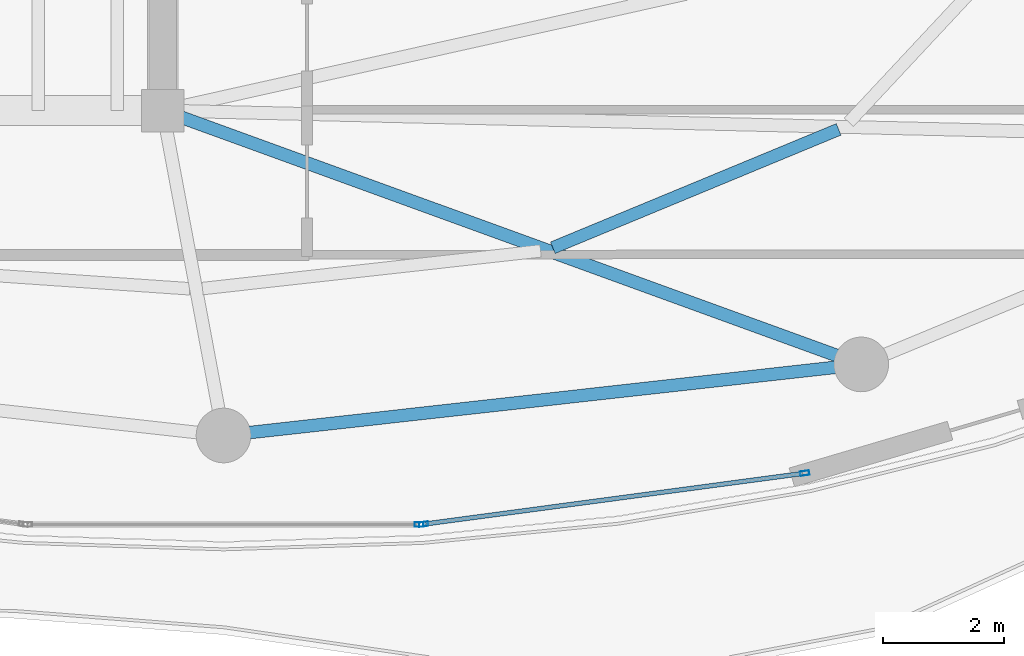
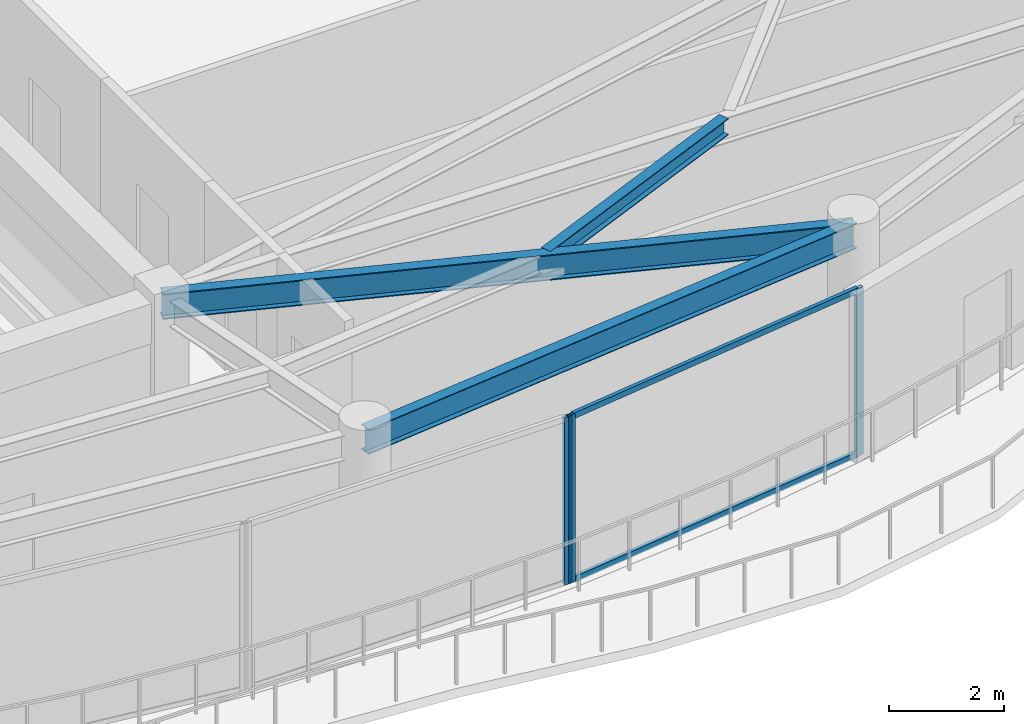
# One storey, part 11 of 30: 5 members, 3 beams, 2 elements without a shape of their own.
"""IFC4 building model written with IfcOpenShell, lengths in metres."""

from ifc_helpers import new_model, si_unit, direction, frame, origin, origin_2d, place, context, subcontext, project, spatial, hollow_rectangle, i_section, extrude, material, layer, layer_set, material_profile, profile_set, type_object, element, aggregate, save


model = new_model("IFC4")

# Units and contexts
model_context = context("Model", 3, precision=1e-05, world=origin(), true_north=direction((0.0, 1.0)))
body_context = subcontext(model_context, "Body", "Model", "MODEL_VIEW")
ifc_project = project(units=[si_unit("LENGTHUNIT", "METRE"), si_unit("AREAUNIT", "SQUARE_METRE"), si_unit("VOLUMEUNIT", "CUBIC_METRE"), si_unit("PLANEANGLEUNIT", "RADIAN"), si_unit("MASSUNIT", "GRAM", prefix="KILO")], contexts=[model_context])

# Site, building, storey
site_placement = place(None, origin())
site = spatial("IfcSite", under=ifc_project, at=site_placement, CompositionType="ELEMENT")
building_placement = place(site_placement, origin())
building = spatial("IfcBuilding", under=site, at=building_placement, Name="Kazevale Care Tower and Concert Hall", CompositionType="ELEMENT")
storey_placement = place(building_placement, frame((0.0, 0.0, 258.60009765625)))
storey = spatial("IfcBuildingStorey", under=building, at=storey_placement, Name="L68", CompositionType="ELEMENT", Elevation=258.60009765625)

# Curtain wall, members
ifc_material_1 = material(Name="Aluminium 6063-T6 and Low-E Glass", Category="aluminium")
ifc_layer = layer(ifc_material_1, 0.179931640625)
ifc_layer_set = layer_set([ifc_layer], Name="Aluminium 6063-T6 and Low-E Glass")
curtain_wall_type = type_object("IfcCurtainWallType", Name="Sheltered Concave Balcony Curtain Wall CW-5", PredefinedType="NOTDEFINED", material=ifc_layer_set)
curtain_wall_1_placement = place(storey_placement, origin())
curtain_wall_1 = element("IfcCurtainWall", 1, at=curtain_wall_1_placement, inside=storey, type_object=curtain_wall_type, Name="cw:L68:f05", PredefinedType="NOTDEFINED")
ifc_material_2 = material(Name="Aluminium 6063-T6", Category="aluminium")
ifc_material_profile_1 = material_profile(ifc_material_2, hollow_rectangle(XDim=0.074951171875, YDim=0.14990234375, WallThickness=0.00390625, at=origin_2d()), Name="ALU75x150x4")
ifc_profile_set_1 = profile_set([ifc_material_profile_1], Name="Aluminium 6063-T6")
member_type_1 = type_object("IfcMemberType", Name="CW-5 Mullion ALU75x150x4", PredefinedType="MULLION", material=ifc_profile_set_1)
member_1_placement = place(storey_placement, frame((54.56982421875, 17.629150390625, 0.0), z_axis=(0.0, 0.0, 1.0), x_axis=(0.132542069018, -0.991177380664, 0.0)))
member_1 = element("IfcMember", 2, at=member_1_placement, type_object=member_type_1, Name="CW-5 mullion 1", PredefinedType="MULLION", context=body_context, shape_type="SweptSolid", body=[
    extrude(hollow_rectangle(XDim=0.074951171875, YDim=0.14990234375, WallThickness=0.00390625, at=origin_2d()), origin(), (0.0, 0.0, 1.0), 3.559814453125),
])
member_2_placement = place(storey_placement, frame((48.295166015625, 16.7900390625, 0.0), z_axis=(0.0, 0.0, 1.0), x_axis=(0.132542069018, -0.991177380664, 0.0)))
member_2 = element("IfcMember", 3, at=member_2_placement, type_object=member_type_1, Name="CW-5 mullion 2", PredefinedType="MULLION", context=body_context, shape_type="SweptSolid", body=[
    extrude(hollow_rectangle(XDim=0.074951171875, YDim=0.14990234375, WallThickness=0.00390625, at=origin_2d()), origin(), (0.0, 0.0, 1.0), 3.559814453125),
])

# Curtain wall, member
curtain_wall_2_placement = place(storey_placement, origin())
curtain_wall_2 = element("IfcCurtainWall", 4, at=curtain_wall_2_placement, inside=storey, type_object=curtain_wall_type, Name="cw:L68:f06", PredefinedType="NOTDEFINED")
member_3_placement = place(storey_placement, frame((48.220458984375, 16.784912109375, 0.0), z_axis=(0.0, 0.0, 1.0), x_axis=(0.0, -1.0, 0.0)))
member_3 = element("IfcMember", 5, at=member_3_placement, type_object=member_type_1, Name="CW-5 mullion 1", PredefinedType="MULLION", context=body_context, shape_type="SweptSolid", body=[
    extrude(hollow_rectangle(XDim=0.074951171875, YDim=0.14990234375, WallThickness=0.00390625, at=origin_2d()), origin(), (0.0, 0.0, 1.0), 3.559814453125),
])
aggregate(curtain_wall_2, [member_3])

# Member
ifc_material_profile_2 = material_profile(ifc_material_2, hollow_rectangle(XDim=0.074951171875, YDim=0.1201171875, WallThickness=0.00390625, at=origin_2d()), Name="ALU75x120x4")
ifc_profile_set_2 = profile_set([ifc_material_profile_2], Name="Aluminium 6063-T6")
member_type_2 = type_object("IfcMemberType", Name="CW-5 Transom ALU75x120x4", PredefinedType="USERDEFINED", material=ifc_profile_set_2)
member_4_placement = place(storey_placement, frame((54.53271484375, 17.6240234375, 0.037353515625), z_axis=(-0.991178066261, -0.132536941884, 0.0), x_axis=(0.132536941884, -0.991178066261, 0.0)))
member_4 = element("IfcMember", 6, at=member_4_placement, type_object=member_type_2, Name="CW-5 transom 1.1", ObjectType="TRANSOM", PredefinedType="USERDEFINED", context=body_context, shape_type="SweptSolid", body=[
    extrude(hollow_rectangle(XDim=0.074951171875, YDim=0.1201171875, WallThickness=0.00390625, at=origin_2d()), origin(), (0.0, 0.0, 1.0), 6.255615234375),
])

member_5_placement = place(storey_placement, frame((54.53271484375, 17.6240234375, 3.5224609375), z_axis=(-0.991178066261, -0.132536941884, 0.0), x_axis=(0.132536941884, -0.991178066261, 0.0)))
member_5 = element("IfcMember", 7, at=member_5_placement, type_object=member_type_2, Name="CW-5 transom 1.2", ObjectType="TRANSOM", PredefinedType="USERDEFINED", context=body_context, shape_type="SweptSolid", body=[
    extrude(hollow_rectangle(XDim=0.074951171875, YDim=0.1201171875, WallThickness=0.00390625, at=origin_2d()), origin(), (0.0, 0.0, 1.0), 6.255615234375),
])

aggregate(curtain_wall_1, [member_1, member_2, member_4, member_5])

# Beams
ifc_material_3 = material(Name="Steel ASTM A572 Gr 50", Category="steel")
ifc_material_profile_3 = material_profile(ifc_material_3, i_section(OverallWidth=0.2119140625, OverallDepth=0.5439453125, WebThickness=0.01318359375, FlangeThickness=0.021240234375, at=origin_2d()), Name="W530x123")
ifc_profile_set_3 = profile_set([ifc_material_profile_3], Name="Steel ASTM A572 Gr 50")
beam_type_1 = type_object("IfcBeamType", Name="Radial Floor Girder W530x123", PredefinedType="BEAM", material=ifc_profile_set_3)
beam_1_placement = place(storey_placement, frame((44.0, 23.60009765625, 3.287841796875), z_axis=(0.939836524786, -0.341624511239, 0.0), x_axis=(0.341624511239, 0.939836524786, 0.0)))
element("IfcBeam", 8, at=beam_1_placement, inside=storey, type_object=beam_type_1, Name="beam:L68:rad:14", PredefinedType="BEAM", context=body_context, shape_type="SweptSolid", body=[
    extrude(i_section(OverallWidth=0.2119140625, OverallDepth=0.5439453125, WebThickness=0.01318359375, FlangeThickness=0.021240234375, at=origin_2d()), origin(), (0.0, 0.0, 1.0), 12.236083984375),
])
ifc_material_profile_4 = material_profile(ifc_material_3, i_section(OverallWidth=0.205078125, OverallDepth=0.35400390625, WebThickness=0.009521484375, FlangeThickness=0.016845703125, at=origin_2d()), Name="W360x79")
ifc_profile_set_4 = profile_set([ifc_material_profile_4], Name="Steel ASTM A572 Gr 50")
beam_type_2 = type_object("IfcBeamType", Name="Secondary Floor Joist W360x79", PredefinedType="JOIST", material=ifc_profile_set_4)
beam_2_placement = place(storey_placement, frame((50.422119140625, 21.341064453125, 3.3828125), z_axis=(0.92389590915, 0.382643893268, 0.0), x_axis=(-0.382643893268, 0.92389590915, 0.0)))
element("IfcBeam", 9, at=beam_2_placement, inside=storey, type_object=beam_type_2, Name="beam:L68:joist:14", PredefinedType="JOIST", context=body_context, shape_type="SweptSolid", body=[
    extrude(i_section(OverallWidth=0.205078125, OverallDepth=0.35400390625, WebThickness=0.009521484375, FlangeThickness=0.016845703125, at=origin_2d()), origin(), (0.0, 0.0, 1.0), 5.093505859375),
])
ifc_material_profile_5 = material_profile(ifc_material_3, i_section(OverallWidth=0.208984375, OverallDepth=0.532958984375, WebThickness=0.01025390625, FlangeThickness=0.015625, at=origin_2d()), Name="W530x92")
ifc_profile_set_5 = profile_set([ifc_material_profile_5], Name="Steel ASTM A572 Gr 50")
beam_type_3 = type_object("IfcBeamType", Name="Upper Ring Beam W530x92", PredefinedType="BEAM", material=ifc_profile_set_5)
beam_3_placement = place(storey_placement, frame((45.0, 18.25, 3.29345703125), z_axis=(0.993849870772, 0.110735876598, 0.0), x_axis=(-0.110735876598, 0.993849870772, 0.0)))
element("IfcBeam", 10, at=beam_3_placement, inside=storey, type_object=beam_type_3, Name="beam:L68:ring:13", PredefinedType="BEAM", context=body_context, shape_type="SweptSolid", body=[
    extrude(i_section(OverallWidth=0.208984375, OverallDepth=0.532958984375, WebThickness=0.01025390625, FlangeThickness=0.015625, at=origin_2d()), origin(), (0.0, 0.0, 1.0), 10.56494140625),
])

save(model, "model.ifc")
